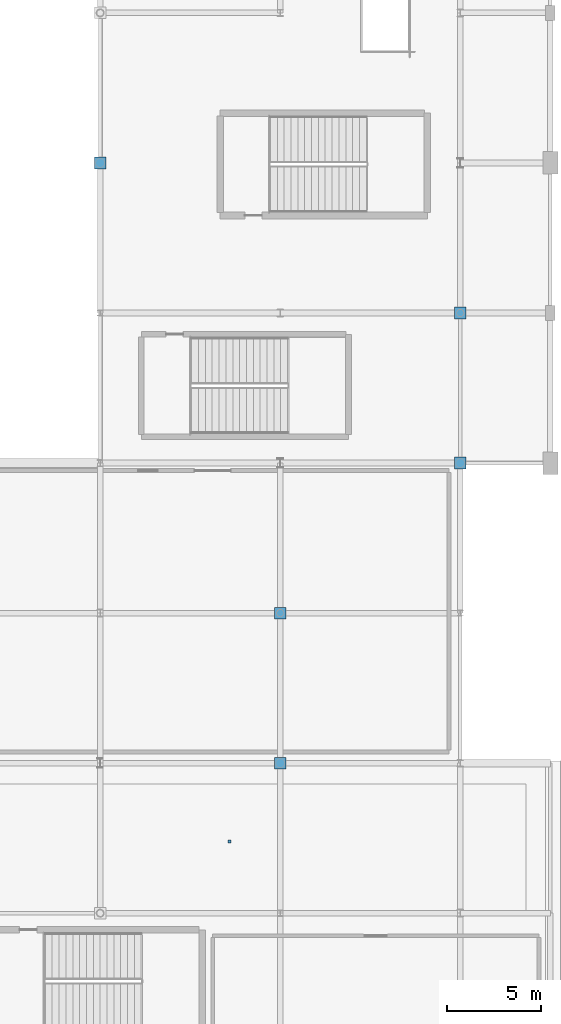
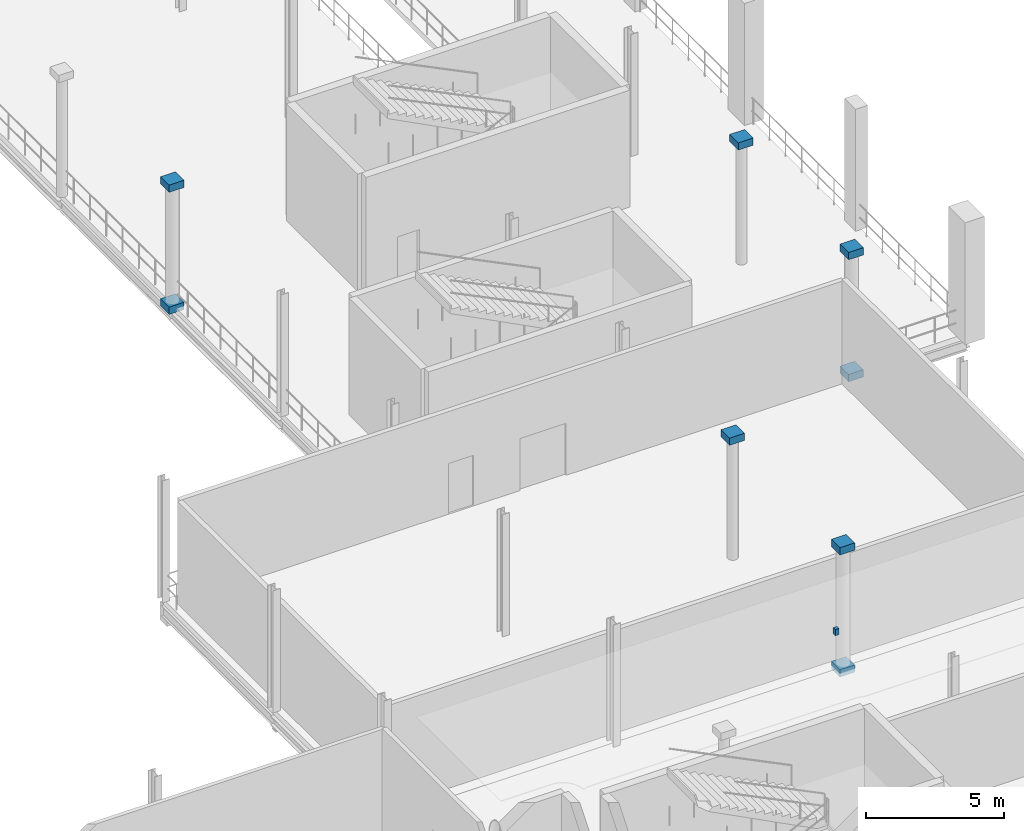
# One storey, part 96 of 129: 9 discrete accessories.
"""IFC4 building model written with IfcOpenShell, lengths in metres."""

from ifc_helpers import new_model, si_unit, direction, frame, origin, origin_2d, place, context, subcontext, project, spatial, rectangle, extrude, material, type_object, element, save


model = new_model("IFC4")

# Units and contexts
model_context = context("Model", 3, precision=1e-05, world=origin(), true_north=direction((0.0, 1.0)))
body_context = subcontext(model_context, "Body", "Model", "MODEL_VIEW")
ifc_project = project(units=[si_unit("LENGTHUNIT", "METRE"), si_unit("AREAUNIT", "SQUARE_METRE"), si_unit("VOLUMEUNIT", "CUBIC_METRE"), si_unit("PLANEANGLEUNIT", "RADIAN"), si_unit("MASSUNIT", "GRAM", prefix="KILO")], contexts=[model_context])

# Site, building, storey
site_placement = place(None, origin())
site = spatial("IfcSite", under=ifc_project, at=site_placement, CompositionType="ELEMENT")
building_placement = place(site_placement, origin())
building = spatial("IfcBuilding", under=site, at=building_placement, Name="Danafjord Basin Convention Centre", CompositionType="ELEMENT")
storey_placement = place(building_placement, frame((0.0, 0.0, 6.0)))
storey = spatial("IfcBuildingStorey", under=building, at=storey_placement, Name="L01", CompositionType="ELEMENT", Elevation=6.0)

# Discrete accessories
ifc_material_1 = material(Name="Stainless steel EN 1.4404", Category="steel")
discrete_accessory_type_1 = type_object("IfcDiscreteAccessoryType", Name="ACC-FIN-BRK", PredefinedType="BRACKET", material=ifc_material_1)
discrete_accessory_placement = place(storey_placement, frame((198.89990234375, 19.830078125, 4.91015625), z_axis=(0.0, 0.0, 1.0), x_axis=(1.0, 0.0, 0.0)))
element("IfcDiscreteAccessory", 1, at=discrete_accessory_placement, inside=storey, type_object=discrete_accessory_type_1, Name="Suspended ceiling steel hanger assembly", PredefinedType="BRACKET", context=body_context, shape_type="SweptSolid", body=[
    extrude(rectangle(XDim=0.159912109375, YDim=0.159912109375, at=origin_2d()), origin(), (0.0, 0.0, 1.0), 0.280029296875),
])
ifc_material_2 = material(Name="Steel S355", Category="steel")
discrete_accessory_type_2 = type_object("IfcDiscreteAccessoryType", Name="ACC-SF-HUB", PredefinedType="BRACKET", material=ifc_material_2)
for number, where, z_axis, x_axis, name in (
    (2, (192.0, 56.0, -0.16015625), (0.0, 0.0, 1.0), (1.0, 0.0, 0.0), "Tubular steel column transition collar"),
    (3, (192.0, 56.0, 5.23974609375), (0.0, 0.0, 1.0), (1.0, 0.0, 0.0), "Tubular steel column top cap plate"),
    (4, (201.60009765625, 24.0, -0.16015625), (0.0, 0.0, 1.0), (1.0, 0.0, 0.0), "Tubular steel column transition collar"),
    (5, (201.60009765625, 24.0, 5.23974609375), (0.0, 0.0, 1.0), (1.0, 0.0, 0.0), "Tubular steel column top cap plate"),
    (6, (201.60009765625, 32.0, 5.23974609375), (0.0, 0.0, 1.0), (1.0, 0.0, 0.0), "Tubular steel column top cap plate"),
    (7, (211.199951171875, 40.0, -0.16015625), (0.0, 0.0, 1.0), (1.0, 0.0, 0.0), "Tubular steel column transition collar"),
    (8, (211.199951171875, 40.0, 5.23974609375), (0.0, 0.0, 1.0), (1.0, 0.0, 0.0), "Tubular steel column top cap plate"),
    (9, (211.199951171875, 48.0, 5.23974609375), (0.0, 0.0, 1.0), (1.0, 0.0, 0.0), "Tubular steel column top cap plate"),
):
    element("IfcDiscreteAccessory", number, at=place(storey_placement, frame(where, z_axis=z_axis, x_axis=x_axis)), inside=storey, type_object=discrete_accessory_type_2, Name=name, PredefinedType="BRACKET", context=body_context, shape_type="SweptSolid", body=[
        extrude(rectangle(XDim=0.6201171875, YDim=0.6201171875, at=origin_2d()), origin(), (0.0, 0.0, 1.0), 0.320068359375),
    ])

save(model, "model.ifc")
